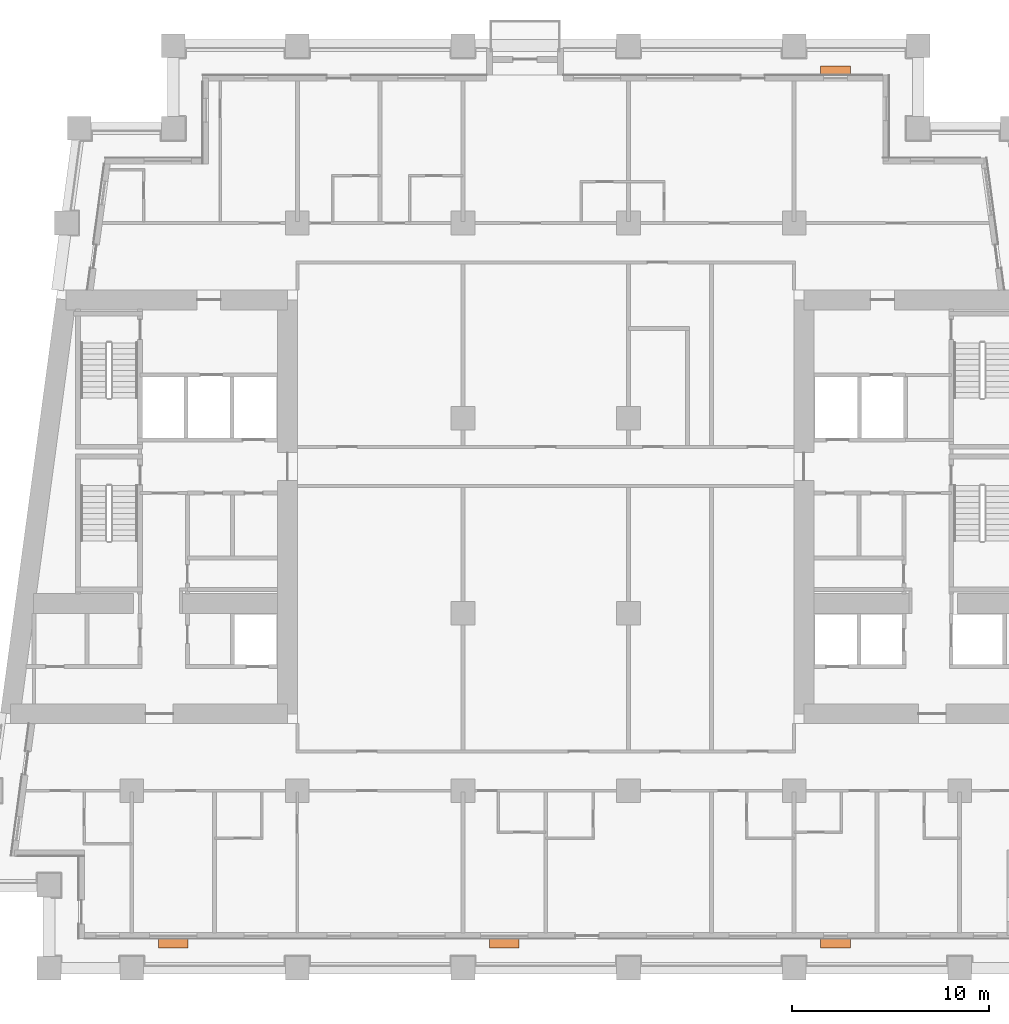
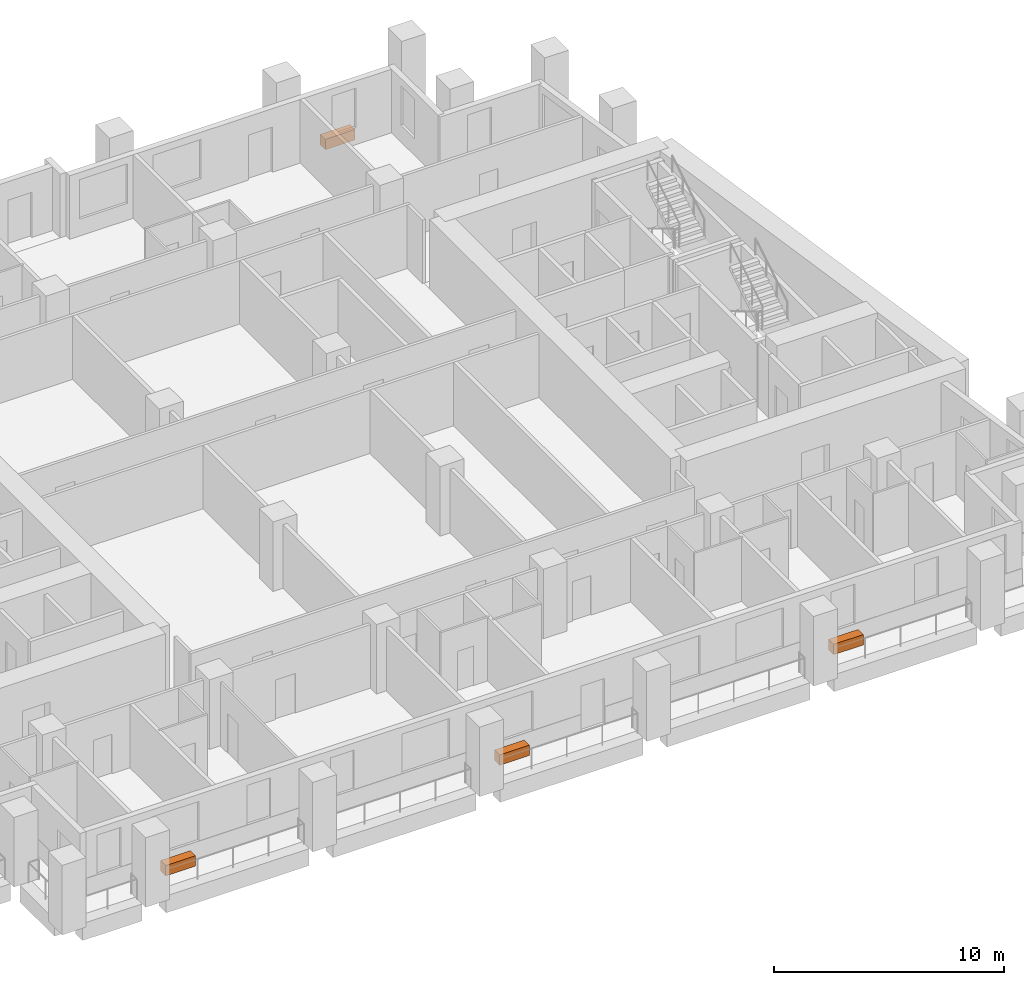
# One storey, part 13 of 13: 4 proxies.
"""IFC4 building model written with IfcOpenShell, lengths in metres."""

from ifc_helpers import new_model, si_unit, direction, frame, origin, origin_2d, place, context, subcontext, project, spatial, rectangle, extrude, element, save


model = new_model("IFC4")

# Units and contexts
model_context = context("Model", 3, precision=1e-05, world=origin(), true_north=direction((0.0, 1.0)))
body_context = subcontext(model_context, "Body", "Model", "MODEL_VIEW")
ifc_project = project(units=[si_unit("LENGTHUNIT", "METRE"), si_unit("AREAUNIT", "SQUARE_METRE"), si_unit("VOLUMEUNIT", "CUBIC_METRE"), si_unit("PLANEANGLEUNIT", "RADIAN"), si_unit("MASSUNIT", "GRAM", prefix="KILO")], contexts=[model_context])

# Site, building, storey
site_placement = place(None, origin())
site = spatial("IfcSite", under=ifc_project, at=site_placement, CompositionType="ELEMENT")
building_placement = place(site_placement, origin())
building = spatial("IfcBuilding", under=site, at=building_placement, Name="Candeia Pilgrim Tower and Theatre", CompositionType="ELEMENT")
storey_placement = place(building_placement, frame((0.0, 0.0, 128.0)))
storey = spatial("IfcBuildingStorey", under=building, at=storey_placement, Name="L30", CompositionType="ELEMENT", Elevation=128.0)

# Proxies
for number, where, z_axis, x_axis, name in (
    (1, (94.5, 99.2548828125, 0.0), (0.0, 0.0, 1.0), (1.0, 0.0, 0.0), "Planter"),
    (2, (111.300048828125, 99.2548828125, 0.0), (0.0, 0.0, 1.0), (1.0, 0.0, 0.0), "Planter"),
    (3, (128.10009765625, 99.2548828125, 0.0), (0.0, 0.0, 1.0), (1.0, 0.0, 0.0), "Planter"),
    (4, (128.10009765625, 143.544921875, 0.0), (0.0, 0.0, 1.0), (-1.0, 0.0, 0.0), "Planter"),
):
    element("IfcBuildingElementProxy", number, at=place(storey_placement, frame(where, z_axis=z_axis, x_axis=x_axis)), inside=storey, Name=name, ObjectType="PLANTER", PredefinedType="USERDEFINED", context=body_context, shape_type="SweptSolid", body=[
        extrude(rectangle(XDim=1.5, YDim=0.449951171875, at=origin_2d()), origin(), (0.0, 0.0, 1.0), 0.550048828125),
    ])

save(model, "model.ifc")
